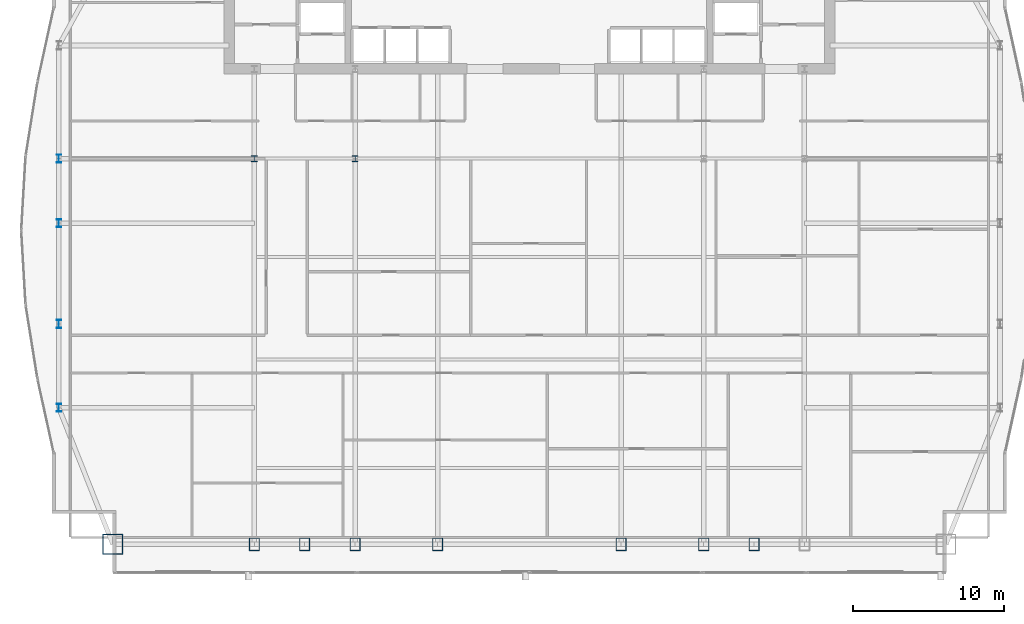
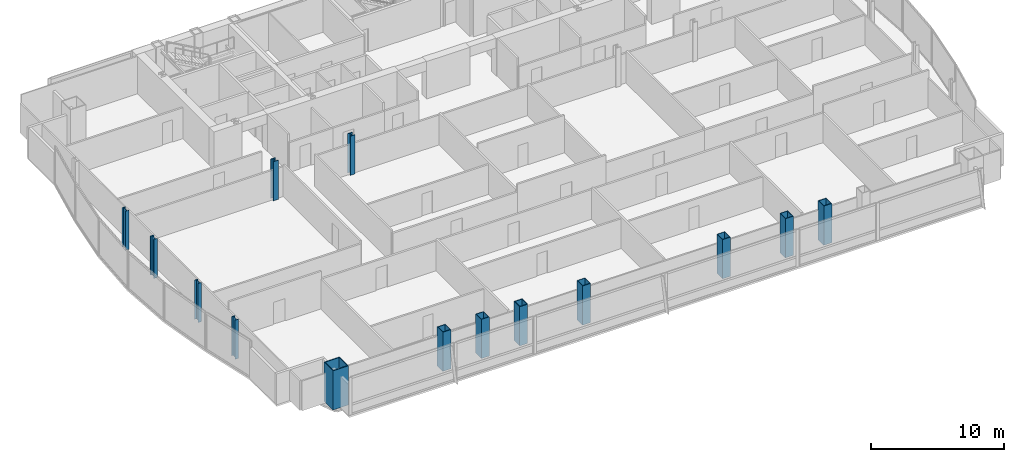
# One storey, part 1 of 29: 14 columns.
"""IFC4 building model written with IfcOpenShell, lengths in metres."""

import ifcopenshell
import ifcopenshell.guid

model = None  # the IFC model being written
_history = None  # IfcOwnerHistory: only IFC2X3 demands one
_inside = {}  # id of a spatial element -> (the spatial element, [elements in it])
_under = {}  # id of a project, library or spatial element -> (it, [spatial elements below it])
_declared = {}  # id of a project -> (the project, [libraries it declares])
_typed = {}  # id of a type object -> (the type object, [elements of that type])
_made_of = {}  # id of a material, layer set ... -> (it, [elements and type objects made of it])


def new_model(schema):
    """Start an empty IFC model of exactly this schema.

    Asked for "IFC4X3", IfcOpenShell would pick the latest addendum, in which some entities
    have other attributes; the version numbers below select the first issue.
    IFC2X3 requires an IfcOwnerHistory on every rooted entity: one is made here for all.
    """
    global model, _history
    if schema == "IFC4X3":
        model = ifcopenshell.file(schema_version=(4, 3, 0, 0))
    else:
        model = ifcopenshell.file(schema=schema)
    _inside.clear()
    _under.clear()
    _declared.clear()
    _typed.clear()
    _made_of.clear()
    _history = None
    if model.schema == "IFC2X3":
        org = make("IfcOrganization", Name="unknown")
        user = make(
            "IfcPersonAndOrganization",
            ThePerson=make("IfcPerson", FamilyName="unknown"),
            TheOrganization=org,
        )
        app = make(
            "IfcApplication",
            ApplicationDeveloper=org,
            Version="unknown",
            ApplicationFullName="unknown",
            ApplicationIdentifier="unknown",
        )
        _history = make(
            "IfcOwnerHistory",
            OwningUser=user,
            OwningApplication=app,
            ChangeAction="ADDED",
            CreationDate=0,
        )
    return model


def make(cls, **values):
    """One entity of the class cls with the attributes given. An attribute that is None is left unset."""
    return model.create_entity(
        cls, **{name: value for name, value in values.items() if value is not None}
    )


def rooted(cls, **values):
    """An entity with a GlobalId (a new one), such as an element, a storey or a relation."""
    return make(cls, GlobalId=ifcopenshell.guid.new(), OwnerHistory=_history, **values)


def si_unit(unit_type, name, prefix=None):
    """IfcSIUnit, for example si_unit("LENGTHUNIT", "METRE", prefix="MILLI")."""
    return make("IfcSIUnit", UnitType=unit_type, Prefix=prefix, Name=name)


def assignment(units):
    """IfcUnitAssignment: the units of a project."""
    return None if units is None else make("IfcUnitAssignment", Units=units)


def point(xyz):
    """IfcCartesianPoint."""
    return None if xyz is None else make("IfcCartesianPoint", Coordinates=xyz)


def direction(xyz):
    """IfcDirection."""
    return None if xyz is None else make("IfcDirection", DirectionRatios=xyz)


def frame(location, z_axis=None, x_axis=None):
    """IfcAxis2Placement3D, a coordinate frame: its origin and axes. An axis left out is left unset."""
    return make(
        "IfcAxis2Placement3D",
        Location=point(location),
        Axis=direction(z_axis),
        RefDirection=direction(x_axis),
    )


def frame_2d(location, x_axis=None):
    """IfcAxis2Placement2D, a coordinate frame in the plane: its origin and x axis."""
    return make(
        "IfcAxis2Placement2D", Location=point(location), RefDirection=direction(x_axis)
    )


def origin():
    """The frame at (0, 0, 0) with its axes left unset."""
    return frame((0.0, 0.0, 0.0))


def origin_2d():
    """The frame at (0, 0) in the plane with its x axis left unset."""
    return frame_2d((0.0, 0.0))


def place(relative_to, where):
    """IfcLocalPlacement: puts the frame where relative to a parent placement (None: the world)."""
    return make(
        "IfcLocalPlacement", PlacementRelTo=relative_to, RelativePlacement=where
    )


def context(
    kind, dimensions, precision=None, world=None, true_north=None, identifier=None
):
    """IfcGeometricRepresentationContext, for example the 3D "Model" context."""
    return make(
        "IfcGeometricRepresentationContext",
        ContextIdentifier=identifier,
        ContextType=kind,
        CoordinateSpaceDimension=dimensions,
        Precision=precision,
        WorldCoordinateSystem=world,
        TrueNorth=true_north,
    )


def subcontext(parent, identifier, kind, view, scale=None):
    """IfcGeometricRepresentationSubContext, for example "Body" below "Model"."""
    return make(
        "IfcGeometricRepresentationSubContext",
        ContextIdentifier=identifier,
        ContextType=kind,
        ParentContext=parent,
        TargetScale=scale,
        TargetView=view,
    )


def project(units=None, contexts=None):
    """IfcProject with its units and contexts."""
    return rooted(
        "IfcProject",
        Name="project",
        RepresentationContexts=contexts,
        UnitsInContext=assignment(units),
    )


def spatial(cls, under=None, at=None, **own):
    """A site, building, storey or space (cls), placed at a placement, below another one or the project."""
    s = rooted(cls, ObjectPlacement=at, **own)
    if under is not None:
        _under.setdefault(under.id(), (under, []))[1].append(s)
    return s


def profile(cls, at=None, kind="AREA", **sizes):
    """A parametric profile (cls). Its sizes go by their IFC names, for example OverallWidth=200.0."""
    return make(cls, ProfileType=kind, Position=at, **sizes)


def hollow_rectangle(**sizes):
    """IfcRectangleHollowProfileDef."""
    return profile("IfcRectangleHollowProfileDef", **sizes)


def i_section(**sizes):
    """IfcIShapeProfileDef."""
    return profile("IfcIShapeProfileDef", **sizes)


def extrude(swept, where, along, depth):
    """IfcExtrudedAreaSolid: the profile swept, set in the frame where, extruded along a direction by depth."""
    return make(
        "IfcExtrudedAreaSolid",
        SweptArea=swept,
        Position=where,
        ExtrudedDirection=direction(along),
        Depth=depth,
    )


def shape(context_of_items, identifier, shape_type, items):
    """IfcShapeRepresentation: the items that make up one representation, for example the "Body"."""
    return make(
        "IfcShapeRepresentation",
        ContextOfItems=context_of_items,
        RepresentationIdentifier=identifier,
        RepresentationType=shape_type,
        Items=items,
    )


def material(Name=None, Category=None):
    """IfcMaterial."""
    return make("IfcMaterial", Name=Name, Category=Category)


def material_profile(
    of_material, cross_section, Name=None, Category=None, Priority=None
):
    """IfcMaterialProfile: a cross section and its material."""
    return make(
        "IfcMaterialProfile",
        Name=Name,
        Material=of_material,
        Profile=cross_section,
        Priority=Priority,
        Category=Category,
    )


def profile_set(profiles, Name=None, composite=None):
    """IfcMaterialProfileSet."""
    return make(
        "IfcMaterialProfileSet",
        Name=Name,
        MaterialProfiles=profiles,
        CompositeProfile=composite,
    )


def made_of(thing, what):
    """Note that an element or type object is made of a material, layer set ...; save() writes the relation."""
    if what is not None:
        _made_of.setdefault(what.id(), (what, []))[1].append(thing)
    return thing


def type_object(cls, material=None, **own):
    """A type object (cls), such as IfcWallType, which elements share."""
    return made_of(rooted(cls, **own), material)


def element(
    cls,
    number,
    at=None,
    inside=None,
    cuts=None,
    type_object=None,
    material=None,
    context=None,
    identifier="Body",
    shape_type=None,
    held_by="IfcProductDefinitionShape",
    body=None,
    shapes=None,
    **own,
):
    """One element of the class cls, such as IfcWall. Its Tag is "e" and its number.

    at: its placement. inside: the storey or other place that contains it. cuts: it is an
    opening in that element (IfcRelVoidsElement). A single representation is given by context,
    identifier, shape_type and body (its items); several are given by shapes. held_by: the class
    of the entity that holds the representations. save() writes the other relations.
    """
    e = rooted(cls, Tag="e%d" % number, ObjectPlacement=at, **own)
    if body is not None:
        shapes = [shape(context, identifier, shape_type, body)]
    if shapes is not None:
        e.Representation = make(held_by, Representations=shapes)
    if inside is not None:
        _inside.setdefault(inside.id(), (inside, []))[1].append(e)
    if cuts is not None:
        rooted(
            "IfcRelVoidsElement", RelatingBuildingElement=cuts, RelatedOpeningElement=e
        )
    if type_object is not None:
        _typed.setdefault(type_object.id(), (type_object, []))[1].append(e)
    return made_of(e, material)


def aggregate(whole, parts):
    """IfcRelAggregates: a whole, such as a stair, and the parts it consists of."""
    return rooted("IfcRelAggregates", RelatingObject=whole, RelatedObjects=parts)


def save(model, path):
    """Write the relations noted so far, then the file.

    IfcRelAggregates (storeys below a building ...), IfcRelContainedInSpatialStructure (elements
    in a storey), IfcRelDefinesByType, IfcRelAssociatesMaterial and IfcRelDeclares: one each for
    every whole, place, type object, material and project.
    """
    for whole, parts in _under.values():
        aggregate(whole, parts)
    for where, things in _inside.values():
        rooted(
            "IfcRelContainedInSpatialStructure",
            RelatedElements=things,
            RelatingStructure=where,
        )
    for kind, things in _typed.values():
        rooted("IfcRelDefinesByType", RelatedObjects=things, RelatingType=kind)
    for what, things in _made_of.values():
        rooted("IfcRelAssociatesMaterial", RelatedObjects=things, RelatingMaterial=what)
    for by, libraries in _declared.values():
        rooted("IfcRelDeclares", RelatingContext=by, RelatedDefinitions=libraries)
    model.write(path)


model = new_model("IFC4")

# Units and contexts
model_context = context("Model", 3, precision=1e-05, world=origin(), true_north=direction((0.0, 1.0)))
body_context = subcontext(model_context, "Body", "Model", "MODEL_VIEW")
ifc_project = project(units=[si_unit("LENGTHUNIT", "METRE"), si_unit("AREAUNIT", "SQUARE_METRE"), si_unit("VOLUMEUNIT", "CUBIC_METRE"), si_unit("PLANEANGLEUNIT", "RADIAN"), si_unit("MASSUNIT", "GRAM", prefix="KILO")], contexts=[model_context])

# Site, building, storey
site_placement = place(None, origin())
site = spatial("IfcSite", under=ifc_project, at=site_placement, CompositionType="ELEMENT")
building_placement = place(site_placement, origin())
building = spatial("IfcBuilding", under=site, at=building_placement, Name="Khoronbel Lancet Exchange", CompositionType="ELEMENT")
storey_placement = place(building_placement, frame((0.0, 0.0, 161.39990234375)))
storey = spatial("IfcBuildingStorey", under=building, at=storey_placement, Name="L40", CompositionType="ELEMENT", Elevation=161.39990234375)

# Columns
ifc_material_1 = material(Name="Steel S460", Category="steel")
ifc_material_profile_1 = material_profile(ifc_material_1, hollow_rectangle(XDim=0.699951171875, YDim=0.85009765625, WallThickness=0.050048828125, at=origin_2d()), Name="BOX 850x700x50")
ifc_profile_set_1 = profile_set([ifc_material_profile_1], Name="Steel S460")
column_type_1 = type_object("IfcColumnType", Name="COL-EC2", PredefinedType="COLUMN", material=ifc_profile_set_1)
for number, where, z_axis, x_axis, name in (
    (1, (18.22509765625, 10.14990234375, 0.0), (0.0, 0.0, 1.0), (1.0, 0.0, 0.0), "Structural column SC-W1 L40"),
    (2, (21.5625, 10.14990234375, 0.0), (0.0, 0.0, 1.0), (1.0, 0.0, 0.0), "Structural column SC-WM L40"),
    (3, (24.89990234375, 10.14990234375, 0.0), (0.0, 0.0, 1.0), (1.0, 0.0, 0.0), "Structural column SC-W2 L40"),
    (4, (30.375, 10.14990234375, 0.0), (0.0, 0.0, 1.0), (1.0, 0.0, 0.0), "Structural column SC-C1 L40"),
    (5, (42.52490234375, 10.14990234375, 0.0), (0.0, 0.0, 1.0), (1.0, 0.0, 0.0), "Structural column SC-C2 L40"),
    (6, (48.0, 10.14990234375, 0.0), (0.0, 0.0, 1.0), (1.0, 0.0, 0.0), "Structural column SC-E1 L40"),
    (7, (51.33740234375, 10.14990234375, 0.0), (0.0, 0.0, 1.0), (1.0, 0.0, 0.0), "Structural column SC-EM L40"),
):
    element("IfcColumn", number, at=place(storey_placement, frame(where, z_axis=z_axis, x_axis=x_axis)), inside=storey, type_object=column_type_1, Name=name, PredefinedType="COLUMN", context=body_context, shape_type="SweptSolid", body=[
        extrude(hollow_rectangle(XDim=0.699951171875, YDim=0.85009765625, WallThickness=0.050048828125, at=origin_2d()), origin(), (0.0, 0.0, 1.0), 3.60009765625),
    ])
ifc_material_profile_2 = material_profile(ifc_material_1, i_section(OverallWidth=0.416015625, OverallDepth=0.446044921875, WebThickness=0.0390625, FlangeThickness=0.062744140625, at=origin_2d()), Name="HD 400x509")
ifc_profile_set_2 = profile_set([ifc_material_profile_2], Name="Steel S460")
column_type_2 = type_object("IfcColumnType", Name="COL-IC2", PredefinedType="COLUMN", material=ifc_profile_set_2)
for number, where, z_axis, x_axis, name in (
    (8, (18.22509765625, 35.699951171875, 0.0), (0.0, 0.0, 1.0), (1.0, 0.0, 0.0), "Spine gravity column TC1 L40"),
    (9, (24.89990234375, 35.699951171875, 0.0), (0.0, 0.0, 1.0), (1.0, 0.0, 0.0), "Spine gravity column TC2 L40"),
):
    element("IfcColumn", number, at=place(storey_placement, frame(where, z_axis=z_axis, x_axis=x_axis)), inside=storey, type_object=column_type_2, Name=name, PredefinedType="COLUMN", context=body_context, shape_type="SweptSolid", body=[
        extrude(i_section(OverallWidth=0.416015625, OverallDepth=0.446044921875, WebThickness=0.0390625, FlangeThickness=0.062744140625, at=origin_2d()), origin(), (0.0, 0.0, 1.0), 3.60009765625),
    ])
ifc_material_2 = material(Name="Steel S355", Category="steel")
ifc_material_profile_3 = material_profile(ifc_material_2, i_section(OverallWidth=0.300048828125, OverallDepth=0.550048828125, WebThickness=0.014892578125, FlangeThickness=0.029052734375, at=origin_2d()), Name="HEB 550")
ifc_profile_set_3 = profile_set([ifc_material_profile_3], Name="Steel S355")
column_type_3 = type_object("IfcColumnType", Name="COL-LC1", PredefinedType="COLUMN", material=ifc_profile_set_3)
for number, where, z_axis, x_axis, name in (
    (10, (5.27001953125, 19.199951171875, 0.0), (0.0, 0.0, 1.0), (1.0, 0.0, 0.0), "Structural column WC-1 L40"),
    (11, (5.27001953125, 24.75, 0.0), (0.0, 0.0, 1.0), (1.0, 0.0, 0.0), "Structural column WC-2 L40"),
    (12, (5.27001953125, 31.425048828125, 0.0), (0.0, 0.0, 1.0), (1.0, 0.0, 0.0), "Structural column WC-M L40"),
    (13, (5.27001953125, 35.699951171875, 0.0), (0.0, 0.0, 1.0), (1.0, 0.0, 0.0), "Structural column WC-3 L40"),
):
    element("IfcColumn", number, at=place(storey_placement, frame(where, z_axis=z_axis, x_axis=x_axis)), inside=storey, type_object=column_type_3, Name=name, PredefinedType="COLUMN", context=body_context, shape_type="SweptSolid", body=[
        extrude(i_section(OverallWidth=0.300048828125, OverallDepth=0.550048828125, WebThickness=0.014892578125, FlangeThickness=0.029052734375, at=origin_2d()), origin(), (0.0, 0.0, 1.0), 3.60009765625),
    ])
ifc_material_profile_4 = material_profile(ifc_material_1, hollow_rectangle(XDim=1.35009765625, YDim=1.35009765625, WallThickness=0.06494140625, at=origin_2d()), Name="BOX 1350x1350x65")
ifc_profile_set_4 = profile_set([ifc_material_profile_4], Name="Steel S460")
column_type_4 = type_object("IfcColumnType", Name="COL-MC4", PredefinedType="COLUMN", material=ifc_profile_set_4)
column_placement = place(storey_placement, frame((8.85009765625, 10.14990234375, 0.0), z_axis=(0.0, 0.0, 1.0), x_axis=(1.0, 0.0, 0.0)))
element("IfcColumn", 14, at=column_placement, inside=storey, type_object=column_type_4, Name="Structural column MC-SW L40", PredefinedType="COLUMN", context=body_context, shape_type="SweptSolid", body=[
    extrude(hollow_rectangle(XDim=1.35009765625, YDim=1.35009765625, WallThickness=0.06494140625, at=origin_2d()), origin(), (0.0, 0.0, 1.0), 3.60009765625),
])

save(model, "model.ifc")
